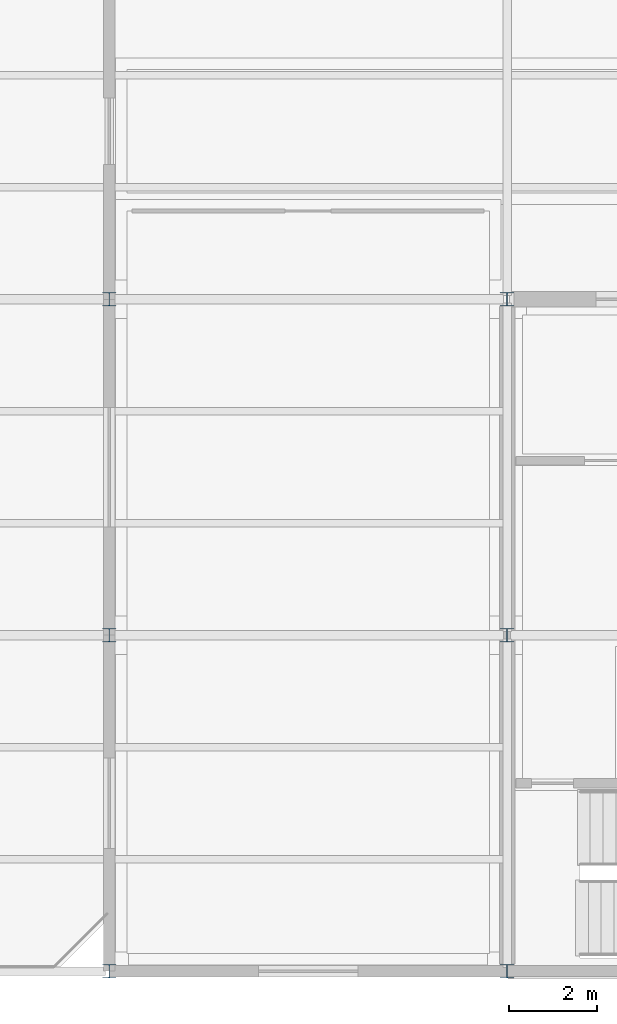
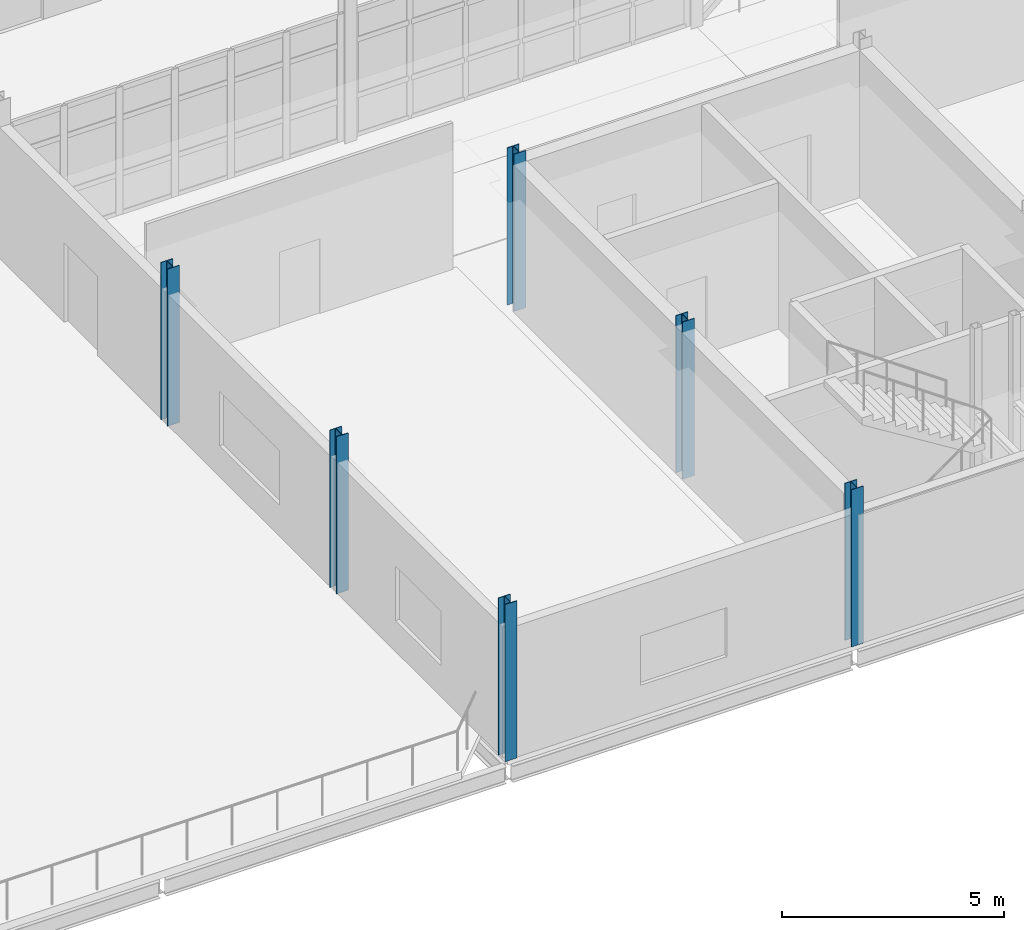
# One storey, part 2 of 166: 6 columns.
"""IFC4 building model written with IfcOpenShell, lengths in metres."""

from ifc_helpers import new_model, si_unit, direction, frame, origin, origin_2d, place, context, subcontext, project, spatial, i_section, extrude, material, material_profile, profile_set, type_object, element, save


model = new_model("IFC4")

# Units and contexts
model_context = context("Model", 3, precision=1e-05, world=origin(), true_north=direction((0.0, 1.0)))
body_context = subcontext(model_context, "Body", "Model", "MODEL_VIEW")
ifc_project = project(units=[si_unit("LENGTHUNIT", "METRE"), si_unit("AREAUNIT", "SQUARE_METRE"), si_unit("VOLUMEUNIT", "CUBIC_METRE"), si_unit("PLANEANGLEUNIT", "RADIAN"), si_unit("MASSUNIT", "GRAM", prefix="KILO")], contexts=[model_context])

# Site, building, storey
site_placement = place(None, origin())
site = spatial("IfcSite", under=ifc_project, at=site_placement, CompositionType="ELEMENT")
building_placement = place(site_placement, origin())
building = spatial("IfcBuilding", under=site, at=building_placement, Name="Caisbarro Railhouse Central Library", CompositionType="ELEMENT")
storey_placement = place(building_placement, frame((0.0, 0.0, 9.360107421875)))
storey = spatial("IfcBuildingStorey", under=building, at=storey_placement, Name="L02", CompositionType="ELEMENT", Elevation=9.360107421875)

# Columns
ifc_material = material(Name="Steel ASTM A572 Grade 50", Category="steel")
ifc_material_profile = material_profile(ifc_material, i_section(OverallWidth=0.31201171875, OverallDepth=0.31201171875, WebThickness=0.017333984375, FlangeThickness=0.017333984375, FilletRadius=0.014892578125, at=origin_2d()), Name="HP310X125.0")
ifc_profile_set = profile_set([ifc_material_profile], Name="Steel ASTM A572 Grade 50")
column_type = type_object("IfcColumnType", Name="COL-C03", PredefinedType="COLUMN", material=ifc_profile_set)
for number, where, z_axis, x_axis, name in (
    (1, (54.0, 0.0, 0.0), (0.0, 0.0, 1.0), (1.0, 0.0, 0.0), "C03 column L02 (54.0,0.0)"),
    (2, (54.0, 7.60009765625, 0.0), (0.0, 0.0, 1.0), (1.0, 0.0, 0.0), "C03 column L02 (54.0,7.6)"),
    (3, (54.0, 15.199951171875, 0.0), (0.0, 0.0, 1.0), (1.0, 0.0, 0.0), "C03 column L02 (54.0,15.2)"),
    (4, (63.0, 0.0, 0.0), (0.0, 0.0, 1.0), (1.0, 0.0, 0.0), "C03 column L02 (63.0,0.0)"),
    (5, (63.0, 7.60009765625, 0.0), (0.0, 0.0, 1.0), (1.0, 0.0, 0.0), "C03 column L02 (63.0,7.6)"),
    (6, (63.0, 15.199951171875, 0.0), (0.0, 0.0, 1.0), (1.0, 0.0, 0.0), "C03 column L02 (63.0,15.2)"),
):
    element("IfcColumn", number, at=place(storey_placement, frame(where, z_axis=z_axis, x_axis=x_axis)), inside=storey, type_object=column_type, Name=name, PredefinedType="COLUMN", context=body_context, shape_type="SweptSolid", body=[
        extrude(i_section(OverallWidth=0.31201171875, OverallDepth=0.31201171875, WebThickness=0.017333984375, FlangeThickness=0.017333984375, FilletRadius=0.014892578125, at=origin_2d()), origin(), (0.0, 0.0, 1.0), 4.31982421875),
    ])

save(model, "model.ifc")
